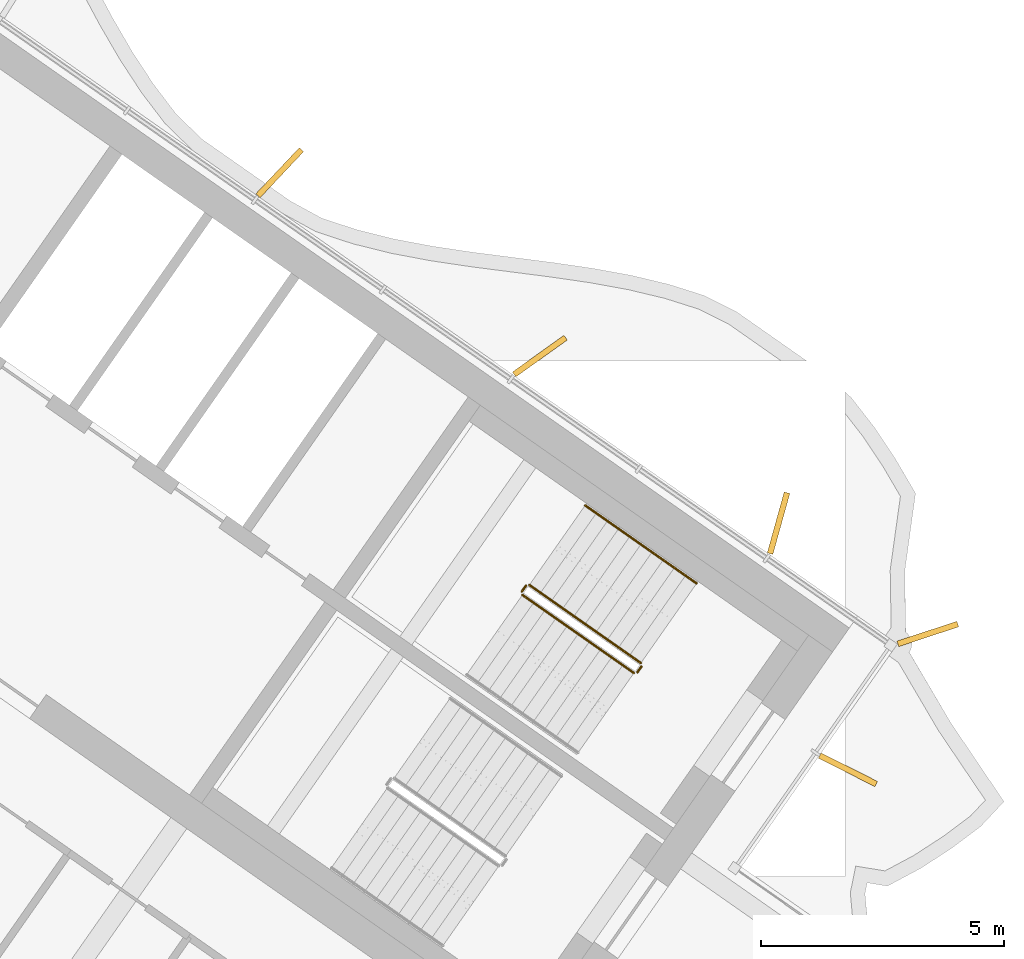
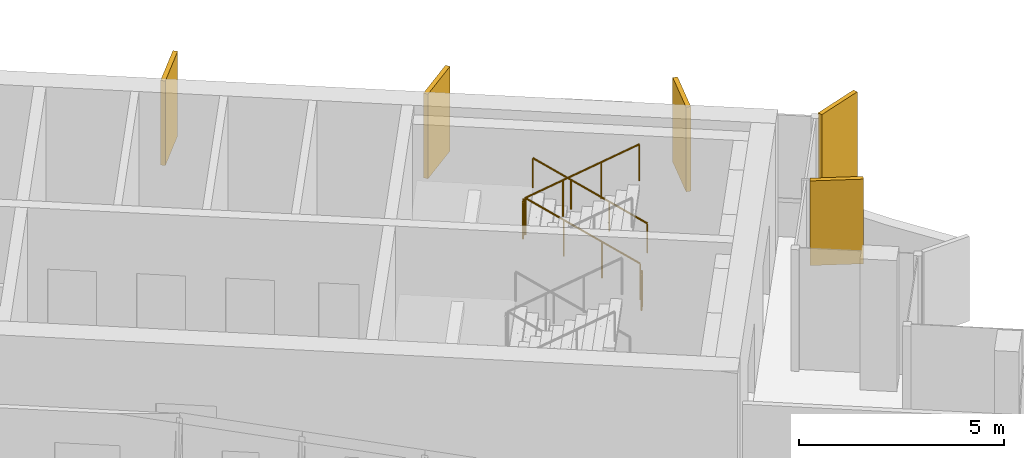
# One storey, part 16 of 17: 5 railings, 5 shading devices.
"""IFC4 building model written with IfcOpenShell, lengths in metres."""

from ifc_helpers import new_model, si_unit, direction, frame, origin, origin_2d, place, context, subcontext, project, spatial, rectangle, circle, extrude, material, layer, layer_set, type_object, element, save


model = new_model("IFC4")

# Units and contexts
model_context = context("Model", 3, precision=1e-05, world=origin(), true_north=direction((0.0, 1.0)))
body_context = subcontext(model_context, "Body", "Model", "MODEL_VIEW")
ifc_project = project(units=[si_unit("LENGTHUNIT", "METRE"), si_unit("AREAUNIT", "SQUARE_METRE"), si_unit("VOLUMEUNIT", "CUBIC_METRE"), si_unit("PLANEANGLEUNIT", "RADIAN"), si_unit("MASSUNIT", "GRAM", prefix="KILO")], contexts=[model_context])

# Site, building, storey
site_placement = place(None, origin())
site = spatial("IfcSite", under=ifc_project, at=site_placement, CompositionType="ELEMENT")
building_placement = place(site_placement, origin())
building = spatial("IfcBuilding", under=site, at=building_placement, Name="Tel Ilan Convention Tower", CompositionType="ELEMENT")
storey_placement = place(building_placement, frame((0.0, 0.0, 283.89990234375)))
storey = spatial("IfcBuildingStorey", under=building, at=storey_placement, Name="L67", CompositionType="ELEMENT", Elevation=283.89990234375)

# Shading devices
ifc_material_1 = material(Name="Aluminium, bronze anodised", Category="aluminium")
ifc_layer = layer(ifc_material_1, 0.1201171875)
ifc_layer_set = layer_set([ifc_layer], Name="FIN BRONZE 1300x120")
shading_device_type = type_object("IfcShadingDeviceType", Name="FIN BRONZE 1300x120", PredefinedType="USERDEFINED", material=ifc_layer_set)
for number, where, z_axis, x_axis, name in (
    (1, (27.9404296875, -10.049072265625, 1.10009765625), (0.0, 0.0, 1.0), (0.893632640321, -0.448799180206, 0.0), "FIN"),
    (2, (29.583984375, -7.253173828125, 1.10009765625), (0.0, 0.0, 1.0), (0.949242643575, 0.314544756146, 0.0), "FIN"),
    (3, (26.51171875, -4.9736328125, 1.10009765625), (0.0, 0.0, 1.0), (0.268172612768, 0.963370878614, 0.0), "FIN"),
    (4, (21.600830078125, -1.534912109375, 1.10009765625), (0.0, 0.0, 1.0), (0.813552070258, 0.581492071294, 0.0), "FIN"),
    (5, (16.24658203125, 2.2373046875, 1.10009765625), (0.0, 0.0, 1.0), (0.686241637865, 0.727373641577, 0.0), "FIN"),
):
    element("IfcShadingDevice", number, at=place(storey_placement, frame(where, z_axis=z_axis, x_axis=x_axis)), inside=storey, type_object=shading_device_type, Name=name, ObjectType="FIN", PredefinedType="USERDEFINED", context=body_context, shape_type="SweptSolid", body=[
        extrude(rectangle(XDim=1.300048828125, YDim=0.1201171875, at=origin_2d()), origin(), (0.0, 0.0, 1.0), 2.52001953125),
    ])

# Railings
ifc_material_2 = material(Name="Stainless Steel Grade 316", Category="steel")
railing_type_1 = type_object("IfcRailingType", Name="Stainless Steel Stair Guard 1100 mm", PredefinedType="GUARDRAIL", material=ifc_material_2)
railing_1_placement = place(storey_placement, frame((23.6787109375, -7.8515625, 0.177490234375)))
element("IfcRailing", 6, at=railing_1_placement, inside=storey, type_object=railing_type_1, Name="L67 S3 stair guard 1", PredefinedType="GUARDRAIL", context=body_context, shape_type="SweptSolid", body=[
    extrude(circle(Radius=0.02392578125, at=origin_2d()), frame((0.0, 0.0, 1.076171875), z_axis=(-0.692084706163, 0.484621375041, 0.534940073605), x_axis=(-0.573591086599, -0.819141785879, 0.0)), (0.0, 0.0, 1.0), 3.313720703125),
    extrude(circle(Radius=0.02099609375, at=origin_2d()), origin(), (0.0, 0.0, 1.0), 1.052001953125),
    extrude(circle(Radius=0.02099609375, at=origin_2d()), frame((-0.764404296875, 0.535400390625, 0.5908203125)), (0.0, 0.0, 1.0), 1.052001953125),
    extrude(circle(Radius=0.02099609375, at=origin_2d()), frame((-1.529052734375, 1.070556640625, 1.181884765625)), (0.0, 0.0, 1.0), 1.052001953125),
    extrude(circle(Radius=0.02099609375, at=origin_2d()), frame((-2.29345703125, 1.60595703125, 1.772705078125)), (0.0, 0.0, 1.0), 1.052001953125),
])
railing_2_placement = place(storey_placement, frame((21.3154296875, -6.2578125, 1.9501953125)))
element("IfcRailing", 7, at=railing_2_placement, inside=storey, type_object=railing_type_1, Name="L67 S3 stair guard 2", PredefinedType="GUARDRAIL", context=body_context, shape_type="SweptSolid", body=[
    extrude(circle(Radius=0.02392578125, at=origin_2d()), frame((0.0, 0.0, 1.076171875), z_axis=(-0.573353020881, -0.819308436089, 0.0), x_axis=(0.819308436089, -0.573353020881, 0.0)), (0.0, 0.0, 1.0), 0.14990234375),
    extrude(circle(Radius=0.02099609375, at=origin_2d()), origin(), (0.0, 0.0, 1.0), 1.052001953125),
    extrude(circle(Radius=0.02099609375, at=origin_2d()), frame((-0.0859375, -0.122802734375, 0.0)), (0.0, 0.0, 1.0), 1.052001953125),
])
railing_3_placement = place(storey_placement, frame((21.24169921875, -6.4501953125, 2.12744140625)))
element("IfcRailing", 8, at=railing_3_placement, inside=storey, type_object=railing_type_1, Name="L67 S3 stair guard 3", PredefinedType="GUARDRAIL", context=body_context, shape_type="SweptSolid", body=[
    extrude(circle(Radius=0.02392578125, at=origin_2d()), frame((0.0, 0.0, 1.076171875), z_axis=(0.692098378994, -0.484653031975, 0.534893701956), x_axis=(0.573608623498, 0.819129505664, 0.0)), (0.0, 0.0, 1.0), 3.314208984375),
    extrude(circle(Radius=0.02099609375, at=origin_2d()), origin(), (0.0, 0.0, 1.0), 1.052001953125),
    extrude(circle(Radius=0.02099609375, at=origin_2d()), frame((0.7646484375, -0.535400390625, 0.5908203125)), (0.0, 0.0, 1.0), 1.052001953125),
    extrude(circle(Radius=0.02099609375, at=origin_2d()), frame((1.529052734375, -1.07080078125, 1.181884765625)), (0.0, 0.0, 1.0), 1.052001953125),
    extrude(circle(Radius=0.02099609375, at=origin_2d()), frame((2.293701171875, -1.606201171875, 1.772705078125)), (0.0, 0.0, 1.0), 1.052001953125),
])
railing_4_placement = place(storey_placement, frame((23.691162109375, -7.921142578125, 0.0)))
element("IfcRailing", 9, at=railing_4_placement, inside=storey, type_object=railing_type_1, Name="L67 S3 stair guard 4", PredefinedType="GUARDRAIL", context=body_context, shape_type="SweptSolid", body=[
    extrude(circle(Radius=0.02392578125, at=origin_2d()), frame((0.0, 0.0, 1.076171875), z_axis=(-0.574444878118, -0.818543268254, 0.0), x_axis=(0.818543268254, -0.574444878118, 0.0)), (0.0, 0.0, 1.0), 0.150146484375),
    extrude(circle(Radius=0.02099609375, at=origin_2d()), origin(), (0.0, 0.0, 1.0), 1.052001953125),
    extrude(circle(Radius=0.02099609375, at=origin_2d()), frame((-0.086181640625, -0.122802734375, 0.0)), (0.0, 0.0, 1.0), 1.052001953125),
])
ifc_material_3 = material(Name="Stainless Steel Grade 316", Category="steel")
railing_type_2 = type_object("IfcRailingType", Name="Stainless Steel Stair Handrail 900 mm", PredefinedType="HANDRAIL", material=ifc_material_3)
railing_5_placement = place(storey_placement, frame((24.825927734375, -6.213134765625, 0.177490234375)))
element("IfcRailing", 10, at=railing_5_placement, inside=storey, type_object=railing_type_2, Name="L67 S3 stair handrail 1", PredefinedType="HANDRAIL", context=body_context, shape_type="SweptSolid", body=[
    extrude(circle(Radius=0.02392578125, at=origin_2d()), frame((0.0, 0.0, 0.8759765625), z_axis=(-0.692123088272, 0.484596665743, 0.534912798717), x_axis=(-0.573550118428, -0.819170471667, 0.0)), (0.0, 0.0, 1.0), 3.31396484375),
    extrude(circle(Radius=0.02099609375, at=origin_2d()), origin(), (0.0, 0.0, 1.0), 0.851806640625),
    extrude(circle(Radius=0.02099609375, at=origin_2d()), frame((-0.7646484375, 0.535400390625, 0.5908203125)), (0.0, 0.0, 1.0), 0.851806640625),
    extrude(circle(Radius=0.02099609375, at=origin_2d()), frame((-1.529052734375, 1.070556640625, 1.181884765625)), (0.0, 0.0, 1.0), 0.851806640625),
    extrude(circle(Radius=0.02099609375, at=origin_2d()), frame((-2.293701171875, 1.60595703125, 1.772705078125)), (0.0, 0.0, 1.0), 0.851806640625),
])

save(model, "model.ifc")
